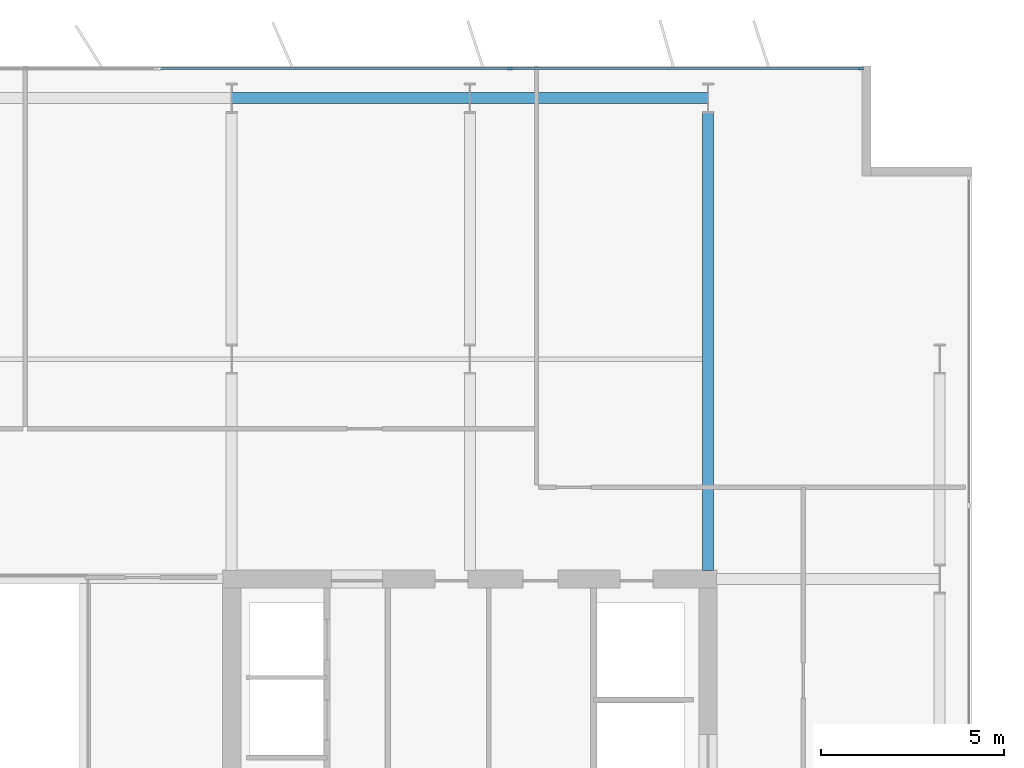
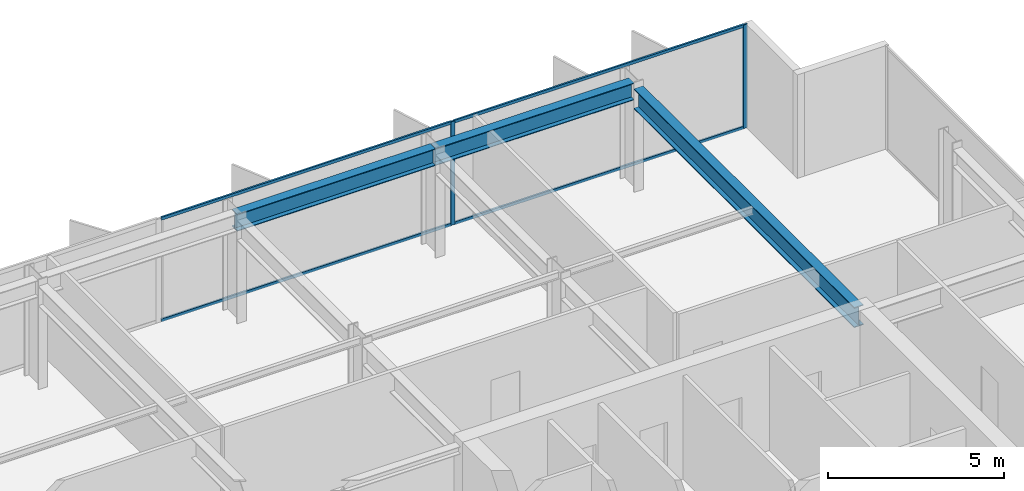
# One storey, part 13 of 24: 6 members, 3 beams, 1 element without a shape of its own.
"""IFC4 building model written with IfcOpenShell, lengths in metres."""

from ifc_helpers import new_model, si_unit, direction, frame, origin, origin_2d, place, context, subcontext, project, spatial, rectangle, i_section, extrude, material, layer, layer_set, material_profile, profile_set, type_object, element, aggregate, save


model = new_model("IFC4")

# Units and contexts
model_context = context("Model", 3, precision=1e-05, world=origin(), true_north=direction((0.0, 1.0)))
body_context = subcontext(model_context, "Body", "Model", "MODEL_VIEW")
ifc_project = project(units=[si_unit("LENGTHUNIT", "METRE"), si_unit("AREAUNIT", "SQUARE_METRE"), si_unit("VOLUMEUNIT", "CUBIC_METRE"), si_unit("PLANEANGLEUNIT", "RADIAN"), si_unit("MASSUNIT", "GRAM", prefix="KILO")], contexts=[model_context])

# Site, building, storey
site_placement = place(None, origin())
site = spatial("IfcSite", under=ifc_project, at=site_placement, CompositionType="ELEMENT")
building_placement = place(site_placement, origin())
building = spatial("IfcBuilding", under=site, at=building_placement, Name="Putna Gate Headquarters", CompositionType="ELEMENT")
storey_placement = place(building_placement, frame((0.0, 0.0, 244.199951171875)))
storey = spatial("IfcBuildingStorey", under=building, at=storey_placement, Name="L61", CompositionType="ELEMENT", Elevation=244.199951171875)

# Beams
ifc_material_1 = material(Name="Steel S355J2", Category="steel")
ifc_material_profile_1 = material_profile(ifc_material_1, i_section(OverallWidth=0.300048828125, OverallDepth=0.699951171875, WebThickness=0.01708984375, FlangeThickness=0.031982421875, at=origin_2d()), Name="Steel S355J2")
ifc_profile_set_1 = profile_set([ifc_material_profile_1], Name="Steel S355J2")
beam_type_1 = type_object("IfcBeamType", Name="BM-GIRD-B-HEB700", PredefinedType="USERDEFINED", material=ifc_profile_set_1)
beam_placement = place(storey_placement, frame((65.0, 33.235107421875, 3.22998046875), z_axis=(0.0, 1.0, 0.0), x_axis=(-1.0, 0.0, 0.0)))
element("IfcBeam", 1, at=beam_placement, inside=storey, type_object=beam_type_1, Name="L61 North Primary Girder X65", ObjectType="GIRDER", PredefinedType="USERDEFINED", context=body_context, shape_type="SweptSolid", body=[
    extrude(i_section(OverallWidth=0.300048828125, OverallDepth=0.699951171875, WebThickness=0.01708984375, FlangeThickness=0.031982421875, at=origin_2d()), origin(), (0.0, 0.0, 1.0), 12.489990234375),
])
ifc_material_profile_2 = material_profile(ifc_material_1, i_section(OverallWidth=0.300048828125, OverallDepth=0.590087890625, WebThickness=0.012939453125, FlangeThickness=0.02490234375, at=origin_2d()), Name="Steel S355J2")
ifc_profile_set_2 = profile_set([ifc_material_profile_2], Name="Steel S355J2")
beam_type_2 = type_object("IfcBeamType", Name="BM-SPAN-Z4-HEA600", PredefinedType="SPANDREL", material=ifc_profile_set_2)
for number, where, z_axis, x_axis, name in (
    (2, (52.006103515625, 46.1201171875, 3.28515625), (1.0, 0.0, 0.0), (0.0, 1.0, 0.0), "L61 N Perimeter Spandrel 7"),
    (3, (58.506103515625, 46.1201171875, 3.28515625), (1.0, 0.0, 0.0), (0.0, 1.0, 0.0), "L61 N Perimeter Spandrel 8"),
):
    element("IfcBeam", number, at=place(storey_placement, frame(where, z_axis=z_axis, x_axis=x_axis)), inside=storey, type_object=beam_type_2, Name=name, PredefinedType="SPANDREL", context=body_context, shape_type="SweptSolid", body=[
        extrude(i_section(OverallWidth=0.300048828125, OverallDepth=0.590087890625, WebThickness=0.012939453125, FlangeThickness=0.02490234375, at=origin_2d()), origin(), (0.0, 0.0, 1.0), 6.48779296875),
    ])

# Curtain wall, members
ifc_material_2 = material(Name="Anodised bronze aluminium curtain wall", Category="aluminium")
ifc_layer = layer(ifc_material_2, 0.139892578125)
ifc_layer_set = layer_set([ifc_layer], Name="Anodised bronze aluminium curtain wall")
curtain_wall_type = type_object("IfcCurtainWallType", Name="CW-SYS-Z4", PredefinedType="USERDEFINED", material=ifc_layer_set)
curtain_wall_placement = place(storey_placement, origin())
curtain_wall = element("IfcCurtainWall", 4, at=curtain_wall_placement, inside=storey, type_object=curtain_wall_type, Name="L61 North East Curtain Wall", ObjectType="STICK CURTAIN WALL", PredefinedType="USERDEFINED")
ifc_material_3 = material(Name="Anodised bronze aluminium EN AW-6060", Category="aluminium")
ifc_material_profile_3 = material_profile(ifc_material_3, rectangle(XDim=0.06005859375, YDim=0.139892578125, at=origin_2d()), Name="Anodised bronze aluminium EN AW-6060")
ifc_profile_set_3 = profile_set([ifc_material_profile_3], Name="Anodised bronze aluminium EN AW-6060")
member_type_1 = type_object("IfcMemberType", Name="MULL-CWM-4", PredefinedType="MULLION", material=ifc_profile_set_3)
member_1_placement = place(storey_placement, frame((59.60009765625, 46.919921875, 0.0), z_axis=(0.0, 0.0, 1.0), x_axis=(0.0, 1.0, 0.0)))
member_1 = element("IfcMember", 5, at=member_1_placement, type_object=member_type_1, Name="CWS-4 mullion 2", PredefinedType="MULLION", context=body_context, shape_type="SweptSolid", body=[
    extrude(rectangle(XDim=0.06005859375, YDim=0.139892578125, at=origin_2d()), origin(), (0.0, 0.0, 1.0), 3.580078125),
])
member_2_placement = place(storey_placement, frame((69.169921875, 46.919921875, 0.0), z_axis=(0.0, 0.0, 1.0), x_axis=(0.0, 1.0, 0.0)))
member_2 = element("IfcMember", 6, at=member_2_placement, type_object=member_type_1, Name="CWS-4 mullion 3", PredefinedType="MULLION", context=body_context, shape_type="SweptSolid", body=[
    extrude(rectangle(XDim=0.06005859375, YDim=0.139892578125, at=origin_2d()), origin(), (0.0, 0.0, 1.0), 3.580078125),
])
ifc_material_profile_4 = material_profile(ifc_material_3, rectangle(XDim=0.06005859375, YDim=0.10009765625, at=origin_2d()), Name="Anodised bronze aluminium EN AW-6060")
ifc_profile_set_4 = profile_set([ifc_material_profile_4], Name="Anodised bronze aluminium EN AW-6060")
member_type_2 = type_object("IfcMemberType", Name="TRAN-CWT-4", PredefinedType="USERDEFINED", material=ifc_profile_set_4)
member_3_placement = place(storey_placement, frame((50.06005859375, 46.919921875, 0.030029296875), z_axis=(1.0, 0.0, 0.0), x_axis=(0.0, 1.0, 0.0)))
member_3 = element("IfcMember", 7, at=member_3_placement, type_object=member_type_2, Name="CWS-4 transom 1.1", ObjectType="TRANSOM", PredefinedType="USERDEFINED", context=body_context, shape_type="SweptSolid", body=[
    extrude(rectangle(XDim=0.06005859375, YDim=0.10009765625, at=origin_2d()), origin(), (0.0, 0.0, 1.0), 9.510009765625),
])
member_4_placement = place(storey_placement, frame((50.06005859375, 46.919921875, 3.550048828125), z_axis=(1.0, 0.0, 0.0), x_axis=(0.0, 1.0, 0.0)))
member_4 = element("IfcMember", 8, at=member_4_placement, type_object=member_type_2, Name="CWS-4 transom 1.2", ObjectType="TRANSOM", PredefinedType="USERDEFINED", context=body_context, shape_type="SweptSolid", body=[
    extrude(rectangle(XDim=0.06005859375, YDim=0.10009765625, at=origin_2d()), origin(), (0.0, 0.0, 1.0), 9.510009765625),
])
member_5_placement = place(storey_placement, frame((59.6298828125, 46.919921875, 0.030029296875), z_axis=(1.0, 0.0, 0.0), x_axis=(0.0, 1.0, 0.0)))
member_5 = element("IfcMember", 9, at=member_5_placement, type_object=member_type_2, Name="CWS-4 transom 2.1", ObjectType="TRANSOM", PredefinedType="USERDEFINED", context=body_context, shape_type="SweptSolid", body=[
    extrude(rectangle(XDim=0.06005859375, YDim=0.10009765625, at=origin_2d()), origin(), (0.0, 0.0, 1.0), 9.510009765625),
])
member_6_placement = place(storey_placement, frame((59.6298828125, 46.919921875, 3.550048828125), z_axis=(1.0, 0.0, 0.0), x_axis=(0.0, 1.0, 0.0)))
member_6 = element("IfcMember", 10, at=member_6_placement, type_object=member_type_2, Name="CWS-4 transom 2.2", ObjectType="TRANSOM", PredefinedType="USERDEFINED", context=body_context, shape_type="SweptSolid", body=[
    extrude(rectangle(XDim=0.06005859375, YDim=0.10009765625, at=origin_2d()), origin(), (0.0, 0.0, 1.0), 9.510009765625),
])
aggregate(curtain_wall, [member_1, member_2, member_3, member_4, member_5, member_6])

save(model, "model.ifc")
